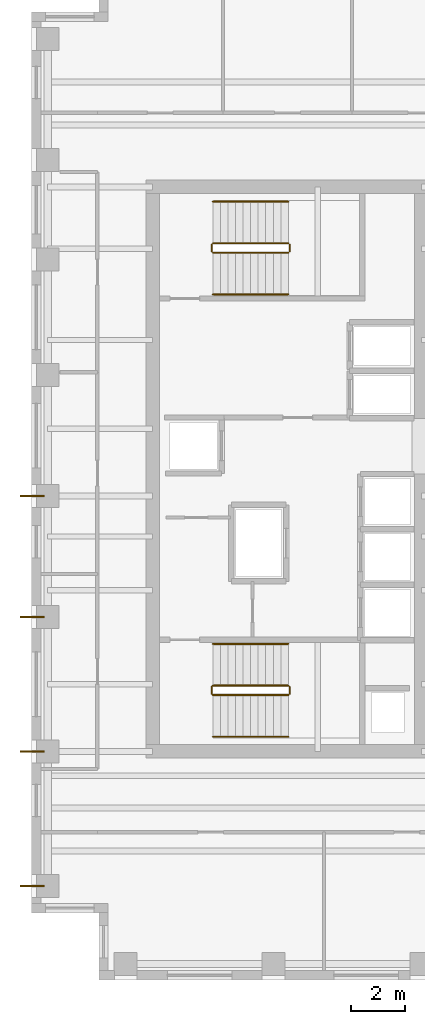
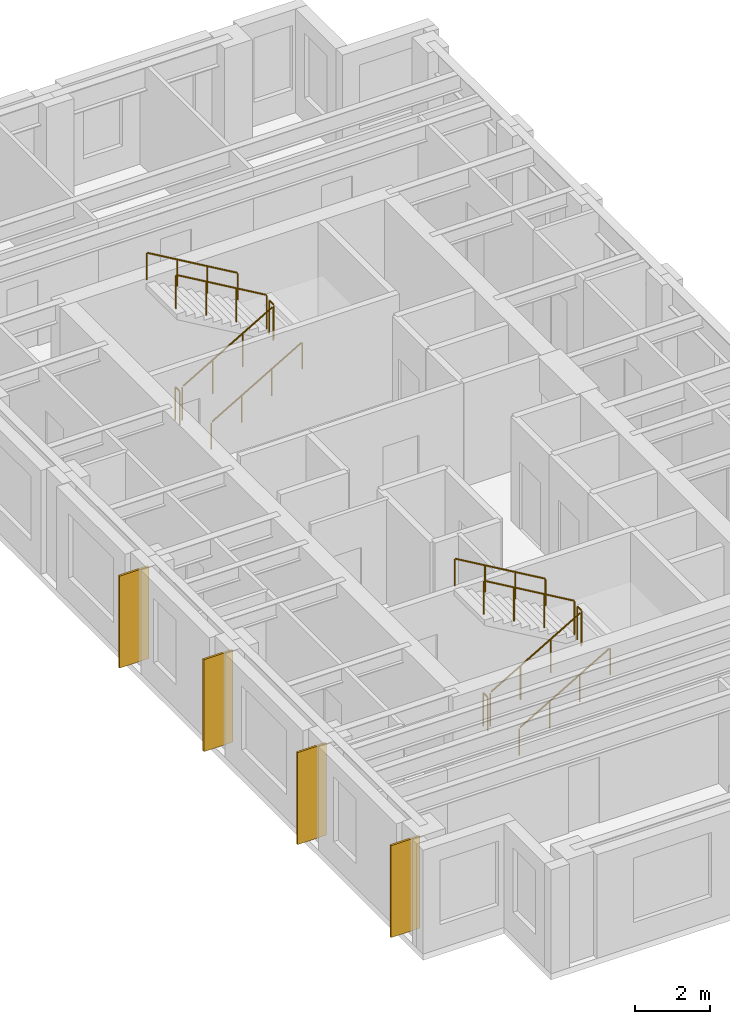
# One storey, part 9 of 10: 12 railings, 4 coverings.
"""IFC4 building model written with IfcOpenShell, lengths in metres."""

import ifcopenshell
import ifcopenshell.guid

model = None  # the IFC model being written
_history = None  # IfcOwnerHistory: only IFC2X3 demands one
_inside = {}  # id of a spatial element -> (the spatial element, [elements in it])
_under = {}  # id of a project, library or spatial element -> (it, [spatial elements below it])
_declared = {}  # id of a project -> (the project, [libraries it declares])
_typed = {}  # id of a type object -> (the type object, [elements of that type])
_made_of = {}  # id of a material, layer set ... -> (it, [elements and type objects made of it])


def new_model(schema):
    """Start an empty IFC model of exactly this schema.

    Asked for "IFC4X3", IfcOpenShell would pick the latest addendum, in which some entities
    have other attributes; the version numbers below select the first issue.
    IFC2X3 requires an IfcOwnerHistory on every rooted entity: one is made here for all.
    """
    global model, _history
    if schema == "IFC4X3":
        model = ifcopenshell.file(schema_version=(4, 3, 0, 0))
    else:
        model = ifcopenshell.file(schema=schema)
    _inside.clear()
    _under.clear()
    _declared.clear()
    _typed.clear()
    _made_of.clear()
    _history = None
    if model.schema == "IFC2X3":
        org = make("IfcOrganization", Name="unknown")
        user = make(
            "IfcPersonAndOrganization",
            ThePerson=make("IfcPerson", FamilyName="unknown"),
            TheOrganization=org,
        )
        app = make(
            "IfcApplication",
            ApplicationDeveloper=org,
            Version="unknown",
            ApplicationFullName="unknown",
            ApplicationIdentifier="unknown",
        )
        _history = make(
            "IfcOwnerHistory",
            OwningUser=user,
            OwningApplication=app,
            ChangeAction="ADDED",
            CreationDate=0,
        )
    return model


def make(cls, **values):
    """One entity of the class cls with the attributes given. An attribute that is None is left unset."""
    return model.create_entity(
        cls, **{name: value for name, value in values.items() if value is not None}
    )


def rooted(cls, **values):
    """An entity with a GlobalId (a new one), such as an element, a storey or a relation."""
    return make(cls, GlobalId=ifcopenshell.guid.new(), OwnerHistory=_history, **values)


def si_unit(unit_type, name, prefix=None):
    """IfcSIUnit, for example si_unit("LENGTHUNIT", "METRE", prefix="MILLI")."""
    return make("IfcSIUnit", UnitType=unit_type, Prefix=prefix, Name=name)


def assignment(units):
    """IfcUnitAssignment: the units of a project."""
    return None if units is None else make("IfcUnitAssignment", Units=units)


def point(xyz):
    """IfcCartesianPoint."""
    return None if xyz is None else make("IfcCartesianPoint", Coordinates=xyz)


def direction(xyz):
    """IfcDirection."""
    return None if xyz is None else make("IfcDirection", DirectionRatios=xyz)


def frame(location, z_axis=None, x_axis=None):
    """IfcAxis2Placement3D, a coordinate frame: its origin and axes. An axis left out is left unset."""
    return make(
        "IfcAxis2Placement3D",
        Location=point(location),
        Axis=direction(z_axis),
        RefDirection=direction(x_axis),
    )


def frame_2d(location, x_axis=None):
    """IfcAxis2Placement2D, a coordinate frame in the plane: its origin and x axis."""
    return make(
        "IfcAxis2Placement2D", Location=point(location), RefDirection=direction(x_axis)
    )


def origin():
    """The frame at (0, 0, 0) with its axes left unset."""
    return frame((0.0, 0.0, 0.0))


def origin_2d():
    """The frame at (0, 0) in the plane with its x axis left unset."""
    return frame_2d((0.0, 0.0))


def place(relative_to, where):
    """IfcLocalPlacement: puts the frame where relative to a parent placement (None: the world)."""
    return make(
        "IfcLocalPlacement", PlacementRelTo=relative_to, RelativePlacement=where
    )


def context(
    kind, dimensions, precision=None, world=None, true_north=None, identifier=None
):
    """IfcGeometricRepresentationContext, for example the 3D "Model" context."""
    return make(
        "IfcGeometricRepresentationContext",
        ContextIdentifier=identifier,
        ContextType=kind,
        CoordinateSpaceDimension=dimensions,
        Precision=precision,
        WorldCoordinateSystem=world,
        TrueNorth=true_north,
    )


def subcontext(parent, identifier, kind, view, scale=None):
    """IfcGeometricRepresentationSubContext, for example "Body" below "Model"."""
    return make(
        "IfcGeometricRepresentationSubContext",
        ContextIdentifier=identifier,
        ContextType=kind,
        ParentContext=parent,
        TargetScale=scale,
        TargetView=view,
    )


def project(units=None, contexts=None):
    """IfcProject with its units and contexts."""
    return rooted(
        "IfcProject",
        Name="project",
        RepresentationContexts=contexts,
        UnitsInContext=assignment(units),
    )


def spatial(cls, under=None, at=None, **own):
    """A site, building, storey or space (cls), placed at a placement, below another one or the project."""
    s = rooted(cls, ObjectPlacement=at, **own)
    if under is not None:
        _under.setdefault(under.id(), (under, []))[1].append(s)
    return s


def profile(cls, at=None, kind="AREA", **sizes):
    """A parametric profile (cls). Its sizes go by their IFC names, for example OverallWidth=200.0."""
    return make(cls, ProfileType=kind, Position=at, **sizes)


def rectangle(**sizes):
    """IfcRectangleProfileDef."""
    return profile("IfcRectangleProfileDef", **sizes)


def circle(**sizes):
    """IfcCircleProfileDef."""
    return profile("IfcCircleProfileDef", **sizes)


def extrude(swept, where, along, depth):
    """IfcExtrudedAreaSolid: the profile swept, set in the frame where, extruded along a direction by depth."""
    return make(
        "IfcExtrudedAreaSolid",
        SweptArea=swept,
        Position=where,
        ExtrudedDirection=direction(along),
        Depth=depth,
    )


def shape(context_of_items, identifier, shape_type, items):
    """IfcShapeRepresentation: the items that make up one representation, for example the "Body"."""
    return make(
        "IfcShapeRepresentation",
        ContextOfItems=context_of_items,
        RepresentationIdentifier=identifier,
        RepresentationType=shape_type,
        Items=items,
    )


def source(mapping_origin, context_of_items, identifier, shape_type, items):
    """IfcRepresentationMap: a shape defined once, which mapped items show again and again."""
    return make(
        "IfcRepresentationMap",
        MappingOrigin=mapping_origin,
        MappedRepresentation=shape(context_of_items, identifier, shape_type, items),
    )


def transform(
    local_origin,
    x_axis=None,
    y_axis=None,
    z_axis=None,
    scale=None,
    scale2=None,
    scale3=None,
    uniform=True,
):
    """IfcCartesianTransformationOperator3D, or its non-uniform kind. x_axis, y_axis, z_axis: its Axis1, 2, 3."""
    if uniform:
        return make(
            "IfcCartesianTransformationOperator3D",
            Axis1=direction(x_axis),
            Axis2=direction(y_axis),
            LocalOrigin=point(local_origin),
            Scale=scale,
            Axis3=direction(z_axis),
        )
    return make(
        "IfcCartesianTransformationOperator3DnonUniform",
        Axis1=direction(x_axis),
        Axis2=direction(y_axis),
        LocalOrigin=point(local_origin),
        Scale=scale,
        Axis3=direction(z_axis),
        Scale2=scale2,
        Scale3=scale3,
    )


def mapped(mapping_source, mapping_target):
    """IfcMappedItem: shows the shape of a source again, moved by a transform."""
    return make(
        "IfcMappedItem", MappingSource=mapping_source, MappingTarget=mapping_target
    )


def material(Name=None, Category=None):
    """IfcMaterial."""
    return make("IfcMaterial", Name=Name, Category=Category)


def layer(
    of_material, thickness, ventilated=None, Name=None, Category=None, Priority=None
):
    """IfcMaterialLayer: one layer of a wall or slab, of a material (None: an air gap)."""
    return make(
        "IfcMaterialLayer",
        Material=of_material,
        LayerThickness=thickness,
        IsVentilated=ventilated,
        Name=Name,
        Category=Category,
        Priority=Priority,
    )


def layer_set(layers, Name=None):
    """IfcMaterialLayerSet."""
    return make("IfcMaterialLayerSet", MaterialLayers=layers, LayerSetName=Name)


def made_of(thing, what):
    """Note that an element or type object is made of a material, layer set ...; save() writes the relation."""
    if what is not None:
        _made_of.setdefault(what.id(), (what, []))[1].append(thing)
    return thing


def type_object(cls, material=None, **own):
    """A type object (cls), such as IfcWallType, which elements share."""
    return made_of(rooted(cls, **own), material)


def element(
    cls,
    number,
    at=None,
    inside=None,
    cuts=None,
    type_object=None,
    material=None,
    context=None,
    identifier="Body",
    shape_type=None,
    held_by="IfcProductDefinitionShape",
    body=None,
    shapes=None,
    **own,
):
    """One element of the class cls, such as IfcWall. Its Tag is "e" and its number.

    at: its placement. inside: the storey or other place that contains it. cuts: it is an
    opening in that element (IfcRelVoidsElement). A single representation is given by context,
    identifier, shape_type and body (its items); several are given by shapes. held_by: the class
    of the entity that holds the representations. save() writes the other relations.
    """
    e = rooted(cls, Tag="e%d" % number, ObjectPlacement=at, **own)
    if body is not None:
        shapes = [shape(context, identifier, shape_type, body)]
    if shapes is not None:
        e.Representation = make(held_by, Representations=shapes)
    if inside is not None:
        _inside.setdefault(inside.id(), (inside, []))[1].append(e)
    if cuts is not None:
        rooted(
            "IfcRelVoidsElement", RelatingBuildingElement=cuts, RelatedOpeningElement=e
        )
    if type_object is not None:
        _typed.setdefault(type_object.id(), (type_object, []))[1].append(e)
    return made_of(e, material)


def aggregate(whole, parts):
    """IfcRelAggregates: a whole, such as a stair, and the parts it consists of."""
    return rooted("IfcRelAggregates", RelatingObject=whole, RelatedObjects=parts)


def save(model, path):
    """Write the relations noted so far, then the file.

    IfcRelAggregates (storeys below a building ...), IfcRelContainedInSpatialStructure (elements
    in a storey), IfcRelDefinesByType, IfcRelAssociatesMaterial and IfcRelDeclares: one each for
    every whole, place, type object, material and project.
    """
    for whole, parts in _under.values():
        aggregate(whole, parts)
    for where, things in _inside.values():
        rooted(
            "IfcRelContainedInSpatialStructure",
            RelatedElements=things,
            RelatingStructure=where,
        )
    for kind, things in _typed.values():
        rooted("IfcRelDefinesByType", RelatedObjects=things, RelatingType=kind)
    for what, things in _made_of.values():
        rooted("IfcRelAssociatesMaterial", RelatedObjects=things, RelatingMaterial=what)
    for by, libraries in _declared.values():
        rooted("IfcRelDeclares", RelatingContext=by, RelatedDefinitions=libraries)
    model.write(path)


model = new_model("IFC4")

# Units and contexts
model_context = context("Model", 3, precision=1e-05, world=origin(), true_north=direction((0.0, 1.0)))
body_context = subcontext(model_context, "Body", "Model", "MODEL_VIEW")
ifc_project = project(units=[si_unit("LENGTHUNIT", "METRE"), si_unit("AREAUNIT", "SQUARE_METRE"), si_unit("VOLUMEUNIT", "CUBIC_METRE"), si_unit("PLANEANGLEUNIT", "RADIAN"), si_unit("MASSUNIT", "GRAM", prefix="KILO")], contexts=[model_context])

# Site, building, storey
site_placement = place(None, origin())
site = spatial("IfcSite", under=ifc_project, at=site_placement, CompositionType="ELEMENT")
building_placement = place(site_placement, origin())
building = spatial("IfcBuilding", under=site, at=building_placement, Name="Kharzan Plaza Tower", CompositionType="ELEMENT")
storey_placement = place(building_placement, frame((0.0, 0.0, 216.0)))
storey = spatial("IfcBuildingStorey", under=building, at=storey_placement, Name="L58", CompositionType="ELEMENT", Elevation=216.0)

# Railings
ifc_material_1 = material(Name="Painted Galvanized Architectural Steel", Category="steel")
ifc_layer_1 = layer(ifc_material_1, 0.074951171875)
ifc_layer_set_1 = layer_set([ifc_layer_1], Name="Painted Galvanized Architectural Steel")
railing_type_1 = type_object("IfcRailingType", Name="RL-GUARD-1120", PredefinedType="BALUSTRADE", material=ifc_layer_set_1)
shared_shape_1 = source(origin(), body_context, "Body", "SweptSolid", [
    extrude(circle(Radius=0.02392578125, at=origin_2d()), frame((0.0, 0.0263671875, 1.09619140625), z_axis=(0.0, 1.0, 0.0), x_axis=(-1.0, 0.0, 0.0)), (0.0, 0.0, 1.0), 0.197021484375),
    extrude(circle(Radius=0.02099609375, at=origin_2d()), origin(), (0.0, 0.0, 1.0), 1.072021484375),
    extrude(circle(Radius=0.02099609375, at=origin_2d()), frame((0.0, 0.25, 0.0)), (0.0, 0.0, 1.0), 1.072021484375),
])
for number, where, name in (
    (1, (9.60009765625, 10.64990234375, 1.800048828125), "L58 ST-1 stair guard 2"),
    (2, (6.699951171875, 10.64990234375, 0.0), "L58 ST-1 stair guard 4"),
    (3, (9.60009765625, 27.10009765625, 1.800048828125), "L58 ST-2 stair guard 2"),
    (4, (6.699951171875, 27.10009765625, 0.0), "L58 ST-2 stair guard 4"),
):
    element("IfcRailing", number, at=place(storey_placement, frame(where)), inside=storey, type_object=railing_type_1, Name=name, PredefinedType="BALUSTRADE", context=body_context, shape_type="MappedRepresentation", body=[
        mapped(shared_shape_1, transform((0.0, 0.0, 0.0), x_axis=(1.0, 0.0, 0.0), y_axis=(0.0, 1.0, 0.0), z_axis=(0.0, 0.0, 1.0))),
    ])

# Coverings
ifc_material_2 = material(Name="Honed Riyadh Limestone", Category="masonry")
ifc_layer_2 = layer(ifc_material_2, 0.06005859375)
ifc_layer_set_2 = layer_set([ifc_layer_2], Name="Honed Riyadh Limestone")
covering_type = type_object("IfcCoveringType", Name="COV-CLAD-STONE", PredefinedType="CLADDING", material=ifc_layer_set_2)
shared_shape_2 = source(origin(), body_context, "Body", "SweptSolid", [
    extrude(rectangle(XDim=0.06005859375, YDim=0.89990234375, at=origin_2d()), origin(), (0.0, 0.0, 1.0), 3.0),
])
for number, where, z_axis, x_axis, name in (
    (5, (0.02001953125, 13.5, 0.10009765625), (0.0, 0.0, 1.0), (0.0, 1.0, 0.0), "L58 Limestone Pier Rainscreen Cladding TCW-135"),
    (6, (0.02001953125, 18.0, 0.10009765625), (0.0, 0.0, 1.0), (0.0, 1.0, 0.0), "L58 Limestone Pier Rainscreen Cladding TCW-180"),
    (7, (0.02001953125, 3.5, 0.10009765625), (0.0, 0.0, 1.0), (0.0, 1.0, 0.0), "L58 Limestone Pier Rainscreen Cladding TCW-35"),
    (8, (0.02001953125, 8.5, 0.10009765625), (0.0, 0.0, 1.0), (0.0, 1.0, 0.0), "L58 Limestone Pier Rainscreen Cladding TCW-85"),
):
    element("IfcCovering", number, at=place(storey_placement, frame(where, z_axis=z_axis, x_axis=x_axis)), inside=storey, type_object=covering_type, Name=name, PredefinedType="CLADDING", context=body_context, shape_type="MappedRepresentation", body=[
        mapped(shared_shape_2, transform((0.0, 0.0, 0.0), x_axis=(1.0, 0.0, 0.0), y_axis=(0.0, 1.0, 0.0), z_axis=(0.0, 0.0, 1.0))),
    ])

# Railings
shared_shape_3 = source(origin(), body_context, "Body", "SweptSolid", [
    extrude(circle(Radius=0.02392578125, at=origin_2d()), frame((0.02294921875, 0.0, 1.109375), z_axis=(0.863360870873, 0.0, 0.504586966384), x_axis=(0.0, 1.0, 0.0)), (0.0, 0.0, 1.0), 3.190185546875),
    extrude(circle(Radius=0.02099609375, at=origin_2d()), origin(), (0.0, 0.0, 1.0), 1.072021484375),
    extrude(circle(Radius=0.02099609375, at=origin_2d()), frame((0.933349609375, 0.0, 0.54541015625)), (0.0, 0.0, 1.0), 1.072021484375),
    extrude(circle(Radius=0.02099609375, at=origin_2d()), frame((1.86669921875, 0.0, 1.091064453125)), (0.0, 0.0, 1.0), 1.072021484375),
    extrude(circle(Radius=0.02099609375, at=origin_2d()), frame((2.800048828125, 0.0, 1.636474609375)), (0.0, 0.0, 1.0), 1.072021484375),
])
for number, where, name in (
    (9, (6.75, 10.60009765625, 0.16357421875), "L58 ST-1 stair guard 1"),
    (10, (6.75, 27.050048828125, 0.16357421875), "L58 ST-2 stair guard 1"),
):
    element("IfcRailing", number, at=place(storey_placement, frame(where)), inside=storey, type_object=railing_type_1, Name=name, PredefinedType="BALUSTRADE", context=body_context, shape_type="MappedRepresentation", body=[
        mapped(shared_shape_3, transform((0.0, 0.0, 0.0), x_axis=(1.0, 0.0, 0.0), y_axis=(0.0, 1.0, 0.0), z_axis=(0.0, 0.0, 1.0))),
    ])
shared_shape_4 = source(origin(), body_context, "Body", "SweptSolid", [
    extrude(circle(Radius=0.02392578125, at=origin_2d()), frame((-0.02294921875, 0.0, 1.109375), z_axis=(-0.863360870873, 0.0, 0.504586966384), x_axis=(0.0, -1.0, 0.0)), (0.0, 0.0, 1.0), 3.190185546875),
    extrude(circle(Radius=0.02099609375, at=origin_2d()), origin(), (0.0, 0.0, 1.0), 1.072021484375),
    extrude(circle(Radius=0.02099609375, at=origin_2d()), frame((-0.933349609375, 0.0, 0.54541015625)), (0.0, 0.0, 1.0), 1.072021484375),
    extrude(circle(Radius=0.02099609375, at=origin_2d()), frame((-1.86669921875, 0.0, 1.091064453125)), (0.0, 0.0, 1.0), 1.072021484375),
    extrude(circle(Radius=0.02099609375, at=origin_2d()), frame((-2.800048828125, 0.0, 1.636474609375)), (0.0, 0.0, 1.0), 1.072021484375),
])
for number, where, name in (
    (11, (9.550048828125, 10.949951171875, 1.963623046875), "L58 ST-1 stair guard 3"),
    (12, (9.550048828125, 27.39990234375, 1.963623046875), "L58 ST-2 stair guard 3"),
):
    element("IfcRailing", number, at=place(storey_placement, frame(where)), inside=storey, type_object=railing_type_1, Name=name, PredefinedType="BALUSTRADE", context=body_context, shape_type="MappedRepresentation", body=[
        mapped(shared_shape_4, transform((0.0, 0.0, 0.0), x_axis=(1.0, 0.0, 0.0), y_axis=(0.0, 1.0, 0.0), z_axis=(0.0, 0.0, 1.0))),
    ])
ifc_material_3 = material(Name="Brushed Stainless Steel", Category="steel")
ifc_layer_3 = layer(ifc_material_3, 0.050048828125)
ifc_layer_set_3 = layer_set([ifc_layer_3], Name="Brushed Stainless Steel")
railing_type_2 = type_object("IfcRailingType", Name="RL-STAIR-HR920", PredefinedType="HANDRAIL", material=ifc_layer_set_3)
shared_shape_5 = source(origin(), body_context, "Body", "SweptSolid", [
    extrude(circle(Radius=0.02392578125, at=origin_2d()), frame((0.02294921875, 0.0, 0.88916015625), z_axis=(0.863360870873, 0.0, 0.504586966384), x_axis=(0.0, 1.0, 0.0)), (0.0, 0.0, 1.0), 3.190185546875),
    extrude(circle(Radius=0.02099609375, at=origin_2d()), origin(), (0.0, 0.0, 1.0), 0.851806640625),
    extrude(circle(Radius=0.02099609375, at=origin_2d()), frame((0.933349609375, 0.0, 0.54541015625)), (0.0, 0.0, 1.0), 0.851806640625),
    extrude(circle(Radius=0.02099609375, at=origin_2d()), frame((1.86669921875, 0.0, 1.091064453125)), (0.0, 0.0, 1.0), 0.851806640625),
    extrude(circle(Radius=0.02099609375, at=origin_2d()), frame((2.800048828125, 0.0, 1.636474609375)), (0.0, 0.0, 1.0), 0.851806640625),
])
for number, where, name in (
    (13, (6.75, 9.050048828125, 0.16357421875), "L58 ST-1 stair handrail 1"),
    (14, (6.75, 25.5, 0.16357421875), "L58 ST-2 stair handrail 1"),
):
    element("IfcRailing", number, at=place(storey_placement, frame(where)), inside=storey, type_object=railing_type_2, Name=name, PredefinedType="HANDRAIL", context=body_context, shape_type="MappedRepresentation", body=[
        mapped(shared_shape_5, transform((0.0, 0.0, 0.0), x_axis=(1.0, 0.0, 0.0), y_axis=(0.0, 1.0, 0.0), z_axis=(0.0, 0.0, 1.0))),
    ])
shared_shape_6 = source(origin(), body_context, "Body", "SweptSolid", [
    extrude(circle(Radius=0.02392578125, at=origin_2d()), frame((-0.02294921875, 0.0, 0.88916015625), z_axis=(-0.863360870873, 0.0, 0.504586966384), x_axis=(0.0, -1.0, 0.0)), (0.0, 0.0, 1.0), 3.190185546875),
    extrude(circle(Radius=0.02099609375, at=origin_2d()), origin(), (0.0, 0.0, 1.0), 0.851806640625),
    extrude(circle(Radius=0.02099609375, at=origin_2d()), frame((-0.933349609375, 0.0, 0.54541015625)), (0.0, 0.0, 1.0), 0.851806640625),
    extrude(circle(Radius=0.02099609375, at=origin_2d()), frame((-1.86669921875, 0.0, 1.091064453125)), (0.0, 0.0, 1.0), 0.851806640625),
    extrude(circle(Radius=0.02099609375, at=origin_2d()), frame((-2.800048828125, 0.0, 1.636474609375)), (0.0, 0.0, 1.0), 0.851806640625),
])
for number, where, name in (
    (15, (9.550048828125, 12.5, 1.963623046875), "L58 ST-1 stair handrail 2"),
    (16, (9.550048828125, 28.949951171875, 1.963623046875), "L58 ST-2 stair handrail 2"),
):
    element("IfcRailing", number, at=place(storey_placement, frame(where)), inside=storey, type_object=railing_type_2, Name=name, PredefinedType="HANDRAIL", context=body_context, shape_type="MappedRepresentation", body=[
        mapped(shared_shape_6, transform((0.0, 0.0, 0.0), x_axis=(1.0, 0.0, 0.0), y_axis=(0.0, 1.0, 0.0), z_axis=(0.0, 0.0, 1.0))),
    ])

save(model, "model.ifc")
